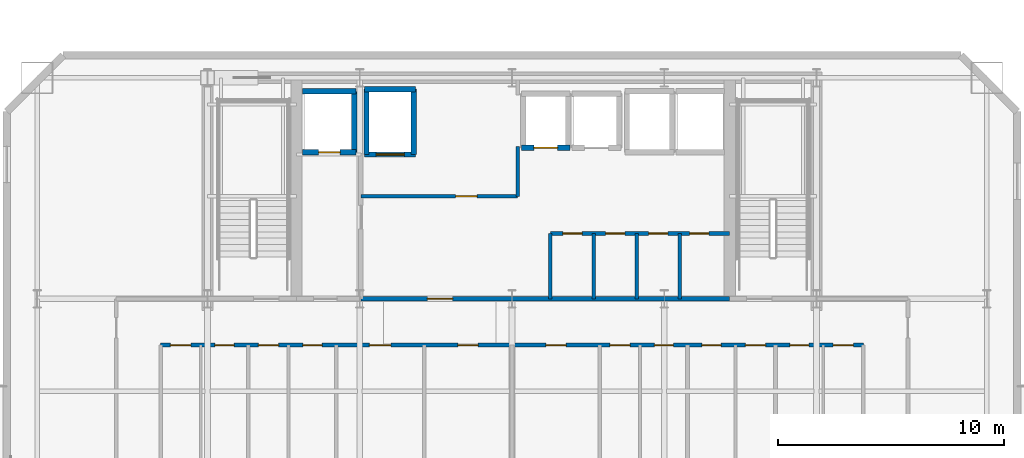
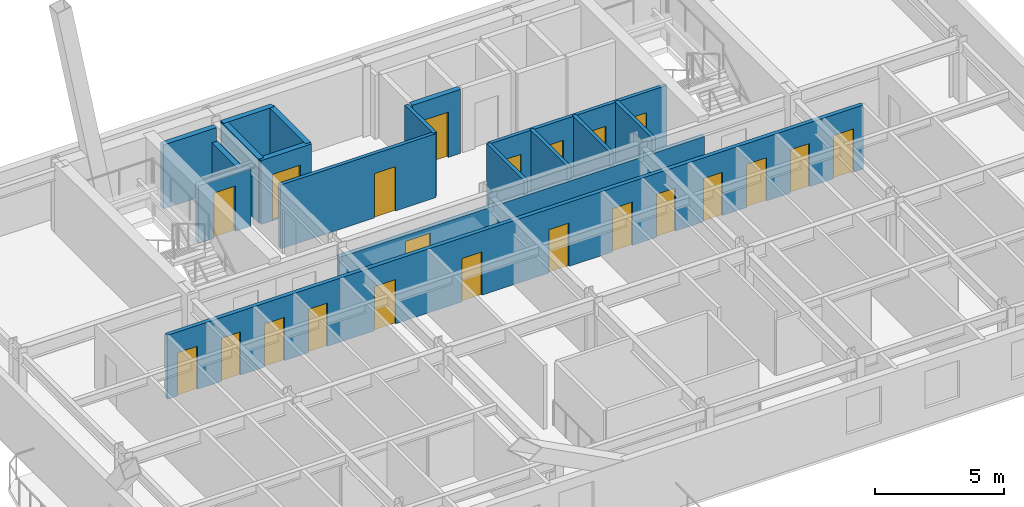
# One storey, part 6 of 14: 22 doors, 17 walls, 22 openings.
"""IFC4 building model written with IfcOpenShell, lengths in metres."""

from ifc_helpers import new_model, si_unit, direction, frame, frame_2d, origin, place, context, subcontext, project, spatial, rectangle, extrude, material, layer, layer_set, type_object, element, fill, save


model = new_model("IFC4")

# Units and contexts
model_context = context("Model", 3, precision=1e-05, world=origin(), true_north=direction((0.0, 1.0)))
body_context = subcontext(model_context, "Body", "Model", "MODEL_VIEW")
ifc_project = project(units=[si_unit("LENGTHUNIT", "METRE"), si_unit("AREAUNIT", "SQUARE_METRE"), si_unit("VOLUMEUNIT", "CUBIC_METRE"), si_unit("PLANEANGLEUNIT", "RADIAN"), si_unit("MASSUNIT", "GRAM", prefix="KILO")], contexts=[model_context])

# Site, building, storey
site_placement = place(None, origin())
site = spatial("IfcSite", under=ifc_project, at=site_placement, CompositionType="ELEMENT")
building_placement = place(site_placement, origin())
building = spatial("IfcBuilding", under=site, at=building_placement, Name="Haevon Station Towers", CompositionType="ELEMENT")
storey_placement = place(building_placement, frame((0.0, 0.0, 123.0)))
storey = spatial("IfcBuildingStorey", under=building, at=storey_placement, Name="L33", CompositionType="ELEMENT", Elevation=123.0)

# Wall, openings, doors
ifc_material_1 = material(Name="Gypsum board on steel stud", Category="steel")
ifc_layer_1 = layer(ifc_material_1, 0.179931640625)
ifc_layer_set_1 = layer_set([ifc_layer_1], Name="Gypsum board on steel stud")
wall_type_1 = type_object("IfcWallType", Name="WL-ACU180", PredefinedType="PARTITIONING", material=ifc_layer_set_1)
wall_1_placement = place(storey_placement, frame((21.919921875, 36.14990234375, 0.0), z_axis=(0.0, 0.0, 1.0), x_axis=(1.0, 0.0, 0.0)))
wall_1 = element("IfcWall", 1, at=wall_1_placement, inside=storey, type_object=wall_type_1, Name="WL-T1PT-L33-30", PredefinedType="PARTITIONING", context=body_context, shape_type="SweptSolid", body=[
    extrude(rectangle(XDim=31.16015625, YDim=0.179931640625, at=frame_2d((15.580078125, 0.0))), origin(), (0.0, 0.0, 1.0), 3.030029296875),
])
opening_1_placement = place(wall_1_placement, frame((2.412109375, 0.0, 0.0)))
opening_1 = element("IfcOpeningElement", 2, at=opening_1_placement, cuts=wall_1, Name="Opening DR-WL-T1PT-L33-30-01", PredefinedType="OPENING", context=body_context, shape_type="SweptSolid", body=[
    extrude(rectangle(XDim=0.85009765625, YDim=2.050048828125, at=frame_2d((0.425048828125, 1.02490234375))), frame((0.0, 0.099853515625, 0.0), z_axis=(0.0, -1.0, 0.0), x_axis=(1.0, 0.0, 0.0)), (0.0, 0.0, 1.0), 0.199951171875),
])
opening_2_placement = place(wall_1_placement, frame((0.43994140625, 0.0, 0.0)))
opening_2 = element("IfcOpeningElement", 3, at=opening_2_placement, cuts=wall_1, Name="Opening DR-WL-T1PT-L33-30-02", PredefinedType="OPENING", context=body_context, shape_type="SweptSolid", body=[
    extrude(rectangle(XDim=0.89990234375, YDim=2.050048828125, at=frame_2d((0.449951171875, 1.02490234375))), frame((0.0, 0.099853515625, 0.0), z_axis=(0.0, -1.0, 0.0), x_axis=(1.0, 0.0, 0.0)), (0.0, 0.0, 1.0), 0.199951171875),
])
opening_3_placement = place(wall_1_placement, frame((6.306884765625, 0.0, 0.0)))
opening_3 = element("IfcOpeningElement", 4, at=opening_3_placement, cuts=wall_1, Name="Opening DR-WL-T1PT-L33-30-03", PredefinedType="OPENING", context=body_context, shape_type="SweptSolid", body=[
    extrude(rectangle(XDim=0.85009765625, YDim=2.050048828125, at=frame_2d((0.425048828125, 1.02490234375))), frame((0.0, 0.099853515625, 0.0), z_axis=(0.0, -1.0, 0.0), x_axis=(1.0, 0.0, 0.0)), (0.0, 0.0, 1.0), 0.199951171875),
])
opening_4_placement = place(wall_1_placement, frame((4.3349609375, 0.0, 0.0)))
opening_4 = element("IfcOpeningElement", 5, at=opening_4_placement, cuts=wall_1, Name="Opening DR-WL-T1PT-L33-30-04", PredefinedType="OPENING", context=body_context, shape_type="SweptSolid", body=[
    extrude(rectangle(XDim=0.89990234375, YDim=2.050048828125, at=frame_2d((0.449951171875, 1.02490234375))), frame((0.0, 0.099853515625, 0.0), z_axis=(0.0, -1.0, 0.0), x_axis=(1.0, 0.0, 0.0)), (0.0, 0.0, 1.0), 0.199951171875),
])
opening_5_placement = place(wall_1_placement, frame((9.261962890625, 0.0, 0.0)))
opening_5 = element("IfcOpeningElement", 6, at=opening_5_placement, cuts=wall_1, Name="Opening DR-WL-T1PT-L33-30-05", PredefinedType="OPENING", context=body_context, shape_type="SweptSolid", body=[
    extrude(rectangle(XDim=0.949951171875, YDim=2.10009765625, at=frame_2d((0.47509765625, 1.050048828125))), frame((0.0, 0.099853515625, 0.0), z_axis=(0.0, -1.0, 0.0), x_axis=(1.0, 0.0, 0.0)), (0.0, 0.0, 1.0), 0.199951171875),
])
opening_6_placement = place(wall_1_placement, frame((13.181884765625, 0.0, 0.0)))
opening_6 = element("IfcOpeningElement", 7, at=opening_6_placement, cuts=wall_1, Name="Opening DR-WL-T1PT-L33-30-06", PredefinedType="OPENING", context=body_context, shape_type="SweptSolid", body=[
    extrude(rectangle(XDim=0.89990234375, YDim=2.050048828125, at=frame_2d((0.449951171875, 1.02490234375))), frame((0.0, 0.099853515625, 0.0), z_axis=(0.0, -1.0, 0.0), x_axis=(1.0, 0.0, 0.0)), (0.0, 0.0, 1.0), 0.199951171875),
])
opening_7_placement = place(wall_1_placement, frame((17.077880859375, 0.0, 0.0)))
opening_7 = element("IfcOpeningElement", 8, at=opening_7_placement, cuts=wall_1, Name="Opening DR-WL-T1PT-L33-30-07", PredefinedType="OPENING", context=body_context, shape_type="SweptSolid", body=[
    extrude(rectangle(XDim=0.89990234375, YDim=2.050048828125, at=frame_2d((0.449951171875, 1.02490234375))), frame((0.0, 0.099853515625, 0.0), z_axis=(0.0, -1.0, 0.0), x_axis=(1.0, 0.0, 0.0)), (0.0, 0.0, 1.0), 0.199951171875),
])
opening_8_placement = place(wall_1_placement, frame((21.886962890625, 0.0, 0.0)))
opening_8 = element("IfcOpeningElement", 9, at=opening_8_placement, cuts=wall_1, Name="Opening DR-WL-T1PT-L33-30-08", PredefinedType="OPENING", context=body_context, shape_type="SweptSolid", body=[
    extrude(rectangle(XDim=0.85009765625, YDim=2.050048828125, at=frame_2d((0.425048828125, 1.02490234375))), frame((0.0, 0.099853515625, 0.0), z_axis=(0.0, -1.0, 0.0), x_axis=(1.0, 0.0, 0.0)), (0.0, 0.0, 1.0), 0.199951171875),
])
opening_9_placement = place(wall_1_placement, frame((19.9150390625, 0.0, 0.0)))
opening_9 = element("IfcOpeningElement", 10, at=opening_9_placement, cuts=wall_1, Name="Opening DR-WL-T1PT-L33-30-09", PredefinedType="OPENING", context=body_context, shape_type="SweptSolid", body=[
    extrude(rectangle(XDim=0.89990234375, YDim=2.050048828125, at=frame_2d((0.449951171875, 1.02490234375))), frame((0.0, 0.099853515625, 0.0), z_axis=(0.0, -1.0, 0.0), x_axis=(1.0, 0.0, 0.0)), (0.0, 0.0, 1.0), 0.199951171875),
])
opening_10_placement = place(wall_1_placement, frame((24.001953125, 0.0, 0.0)))
opening_10 = element("IfcOpeningElement", 11, at=opening_10_placement, cuts=wall_1, Name="Opening DR-WL-T1PT-L33-30-10", PredefinedType="OPENING", context=body_context, shape_type="SweptSolid", body=[
    extrude(rectangle(XDim=0.85009765625, YDim=2.050048828125, at=frame_2d((0.425048828125, 1.02490234375))), frame((0.0, 0.099853515625, 0.0), z_axis=(0.0, -1.0, 0.0), x_axis=(1.0, 0.0, 0.0)), (0.0, 0.0, 1.0), 0.199951171875),
])
opening_11_placement = place(wall_1_placement, frame((25.925048828125, 0.0, 0.0)))
opening_11 = element("IfcOpeningElement", 12, at=opening_11_placement, cuts=wall_1, Name="Opening DR-WL-T1PT-L33-30-11", PredefinedType="OPENING", context=body_context, shape_type="SweptSolid", body=[
    extrude(rectangle(XDim=0.89990234375, YDim=2.050048828125, at=frame_2d((0.449951171875, 1.02490234375))), frame((0.0, 0.099853515625, 0.0), z_axis=(0.0, -1.0, 0.0), x_axis=(1.0, 0.0, 0.0)), (0.0, 0.0, 1.0), 0.199951171875),
])
opening_12_placement = place(wall_1_placement, frame((27.89697265625, 0.0, 0.0)))
opening_12 = element("IfcOpeningElement", 13, at=opening_12_placement, cuts=wall_1, Name="Opening DR-WL-T1PT-L33-30-12", PredefinedType="OPENING", context=body_context, shape_type="SweptSolid", body=[
    extrude(rectangle(XDim=0.85009765625, YDim=2.050048828125, at=frame_2d((0.425048828125, 1.02490234375))), frame((0.0, 0.099853515625, 0.0), z_axis=(0.0, -1.0, 0.0), x_axis=(1.0, 0.0, 0.0)), (0.0, 0.0, 1.0), 0.199951171875),
])
opening_13_placement = place(wall_1_placement, frame((29.820068359375, 0.0, 0.0)))
opening_13 = element("IfcOpeningElement", 14, at=opening_13_placement, cuts=wall_1, Name="Opening DR-WL-T1PT-L33-30-13", PredefinedType="OPENING", context=body_context, shape_type="SweptSolid", body=[
    extrude(rectangle(XDim=0.89990234375, YDim=2.050048828125, at=frame_2d((0.449951171875, 1.02490234375))), frame((0.0, 0.099853515625, 0.0), z_axis=(0.0, -1.0, 0.0), x_axis=(1.0, 0.0, 0.0)), (0.0, 0.0, 1.0), 0.199951171875),
])
ifc_material_2 = material(Name="Engineered oak timber", Category="wood")
door_type_1 = type_object("IfcDoorType", Name="DR-FD30-850", OperationType="NOTDEFINED", PredefinedType="DOOR", material=ifc_material_2)
door_1_placement = place(opening_1_placement, origin())
door_1 = element("IfcDoor", 15, at=door_1_placement, inside=storey, type_object=door_type_1, Name="L33 Tower 1 Room Door 30-1", OperationType="SINGLE_SWING_RIGHT", OverallHeight=2.050048828125, OverallWidth=0.85009765625, PredefinedType="DOOR", context=body_context, shape_type="SweptSolid", body=[
    extrude(rectangle(XDim=0.85009765625, YDim=2.050048828125, at=frame_2d((0.425048828125, 1.02490234375))), frame((0.0, 0.02490234375, 0.0), z_axis=(0.0, -1.0, 0.0), x_axis=(1.0, 0.0, 0.0)), (0.0, 0.0, 1.0), 0.050048828125),
])
fill(opening_1, door_1)
door_2_placement = place(opening_3_placement, origin())
door_2 = element("IfcDoor", 16, at=door_2_placement, inside=storey, type_object=door_type_1, Name="L33 Tower 1 Room Door 30-3", OperationType="SINGLE_SWING_RIGHT", OverallHeight=2.050048828125, OverallWidth=0.85009765625, PredefinedType="DOOR", context=body_context, shape_type="SweptSolid", body=[
    extrude(rectangle(XDim=0.85009765625, YDim=2.050048828125, at=frame_2d((0.425048828125, 1.02490234375))), frame((0.0, 0.02490234375, 0.0), z_axis=(0.0, -1.0, 0.0), x_axis=(1.0, 0.0, 0.0)), (0.0, 0.0, 1.0), 0.050048828125),
])
fill(opening_3, door_2)
door_3_placement = place(opening_8_placement, origin())
door_3 = element("IfcDoor", 17, at=door_3_placement, inside=storey, type_object=door_type_1, Name="L33 Tower 1 Room Door 30-8", OperationType="SINGLE_SWING_LEFT", OverallHeight=2.050048828125, OverallWidth=0.85009765625, PredefinedType="DOOR", context=body_context, shape_type="SweptSolid", body=[
    extrude(rectangle(XDim=0.85009765625, YDim=2.050048828125, at=frame_2d((0.425048828125, 1.02490234375))), frame((0.0, 0.02490234375, 0.0), z_axis=(0.0, -1.0, 0.0), x_axis=(1.0, 0.0, 0.0)), (0.0, 0.0, 1.0), 0.050048828125),
])
fill(opening_8, door_3)
door_4_placement = place(opening_10_placement, origin())
door_4 = element("IfcDoor", 18, at=door_4_placement, inside=storey, type_object=door_type_1, Name="L33 Tower 1 Room Door 30-10", OperationType="SINGLE_SWING_LEFT", OverallHeight=2.050048828125, OverallWidth=0.85009765625, PredefinedType="DOOR", context=body_context, shape_type="SweptSolid", body=[
    extrude(rectangle(XDim=0.85009765625, YDim=2.050048828125, at=frame_2d((0.425048828125, 1.02490234375))), frame((0.0, 0.02490234375, 0.0), z_axis=(0.0, -1.0, 0.0), x_axis=(1.0, 0.0, 0.0)), (0.0, 0.0, 1.0), 0.050048828125),
])
fill(opening_10, door_4)
door_5_placement = place(opening_12_placement, origin())
door_5 = element("IfcDoor", 19, at=door_5_placement, inside=storey, type_object=door_type_1, Name="L33 Tower 1 Room Door 30-12", OperationType="SINGLE_SWING_LEFT", OverallHeight=2.050048828125, OverallWidth=0.85009765625, PredefinedType="DOOR", context=body_context, shape_type="SweptSolid", body=[
    extrude(rectangle(XDim=0.85009765625, YDim=2.050048828125, at=frame_2d((0.425048828125, 1.02490234375))), frame((0.0, 0.02490234375, 0.0), z_axis=(0.0, -1.0, 0.0), x_axis=(1.0, 0.0, 0.0)), (0.0, 0.0, 1.0), 0.050048828125),
])
fill(opening_12, door_5)
door_type_2 = type_object("IfcDoorType", Name="DR-FD30-950", OperationType="NOTDEFINED", PredefinedType="DOOR", material=ifc_material_2)
door_6_placement = place(opening_5_placement, origin())
door_6 = element("IfcDoor", 20, at=door_6_placement, inside=storey, type_object=door_type_2, Name="L33 Tower 1 Room Door 30-5", OperationType="SINGLE_SWING_RIGHT", OverallHeight=2.10009765625, OverallWidth=0.949951171875, PredefinedType="DOOR", context=body_context, shape_type="SweptSolid", body=[
    extrude(rectangle(XDim=0.949951171875, YDim=2.10009765625, at=frame_2d((0.47509765625, 1.050048828125))), frame((0.0, 0.02490234375, 0.0), z_axis=(0.0, -1.0, 0.0), x_axis=(1.0, 0.0, 0.0)), (0.0, 0.0, 1.0), 0.050048828125),
])
fill(opening_5, door_6)
door_type_3 = type_object("IfcDoorType", Name="DR-INT-900", OperationType="NOTDEFINED", PredefinedType="DOOR", material=ifc_material_2)
door_7_placement = place(opening_2_placement, origin())
door_7 = element("IfcDoor", 21, at=door_7_placement, inside=storey, type_object=door_type_3, Name="L33 Tower 1 Room Door 30-2", OperationType="SINGLE_SWING_LEFT", OverallHeight=2.050048828125, OverallWidth=0.89990234375, PredefinedType="DOOR", context=body_context, shape_type="SweptSolid", body=[
    extrude(rectangle(XDim=0.89990234375, YDim=2.050048828125, at=frame_2d((0.449951171875, 1.02490234375))), frame((0.0, 0.02490234375, 0.0), z_axis=(0.0, -1.0, 0.0), x_axis=(1.0, 0.0, 0.0)), (0.0, 0.0, 1.0), 0.050048828125),
])
fill(opening_2, door_7)
door_8_placement = place(opening_4_placement, origin())
door_8 = element("IfcDoor", 22, at=door_8_placement, inside=storey, type_object=door_type_3, Name="L33 Tower 1 Room Door 30-4", OperationType="SINGLE_SWING_LEFT", OverallHeight=2.050048828125, OverallWidth=0.89990234375, PredefinedType="DOOR", context=body_context, shape_type="SweptSolid", body=[
    extrude(rectangle(XDim=0.89990234375, YDim=2.050048828125, at=frame_2d((0.449951171875, 1.02490234375))), frame((0.0, 0.02490234375, 0.0), z_axis=(0.0, -1.0, 0.0), x_axis=(1.0, 0.0, 0.0)), (0.0, 0.0, 1.0), 0.050048828125),
])
fill(opening_4, door_8)
door_9_placement = place(opening_6_placement, origin())
door_9 = element("IfcDoor", 23, at=door_9_placement, inside=storey, type_object=door_type_3, Name="L33 Tower 1 Room Door 30-6", OperationType="SINGLE_SWING_LEFT", OverallHeight=2.050048828125, OverallWidth=0.89990234375, PredefinedType="DOOR", context=body_context, shape_type="SweptSolid", body=[
    extrude(rectangle(XDim=0.89990234375, YDim=2.050048828125, at=frame_2d((0.449951171875, 1.02490234375))), frame((0.0, 0.02490234375, 0.0), z_axis=(0.0, -1.0, 0.0), x_axis=(1.0, 0.0, 0.0)), (0.0, 0.0, 1.0), 0.050048828125),
])
fill(opening_6, door_9)
door_10_placement = place(opening_7_placement, origin())
door_10 = element("IfcDoor", 24, at=door_10_placement, inside=storey, type_object=door_type_3, Name="L33 Tower 1 Room Door 30-7", OperationType="SINGLE_SWING_RIGHT", OverallHeight=2.050048828125, OverallWidth=0.89990234375, PredefinedType="DOOR", context=body_context, shape_type="SweptSolid", body=[
    extrude(rectangle(XDim=0.89990234375, YDim=2.050048828125, at=frame_2d((0.449951171875, 1.02490234375))), frame((0.0, 0.02490234375, 0.0), z_axis=(0.0, -1.0, 0.0), x_axis=(1.0, 0.0, 0.0)), (0.0, 0.0, 1.0), 0.050048828125),
])
fill(opening_7, door_10)
door_11_placement = place(opening_9_placement, origin())
door_11 = element("IfcDoor", 25, at=door_11_placement, inside=storey, type_object=door_type_3, Name="L33 Tower 1 Room Door 30-9", OperationType="SINGLE_SWING_RIGHT", OverallHeight=2.050048828125, OverallWidth=0.89990234375, PredefinedType="DOOR", context=body_context, shape_type="SweptSolid", body=[
    extrude(rectangle(XDim=0.89990234375, YDim=2.050048828125, at=frame_2d((0.449951171875, 1.02490234375))), frame((0.0, 0.02490234375, 0.0), z_axis=(0.0, -1.0, 0.0), x_axis=(1.0, 0.0, 0.0)), (0.0, 0.0, 1.0), 0.050048828125),
])
fill(opening_9, door_11)
door_12_placement = place(opening_11_placement, origin())
door_12 = element("IfcDoor", 26, at=door_12_placement, inside=storey, type_object=door_type_3, Name="L33 Tower 1 Room Door 30-11", OperationType="SINGLE_SWING_RIGHT", OverallHeight=2.050048828125, OverallWidth=0.89990234375, PredefinedType="DOOR", context=body_context, shape_type="SweptSolid", body=[
    extrude(rectangle(XDim=0.89990234375, YDim=2.050048828125, at=frame_2d((0.449951171875, 1.02490234375))), frame((0.0, 0.02490234375, 0.0), z_axis=(0.0, -1.0, 0.0), x_axis=(1.0, 0.0, 0.0)), (0.0, 0.0, 1.0), 0.050048828125),
])
fill(opening_11, door_12)
door_13_placement = place(opening_13_placement, origin())
door_13 = element("IfcDoor", 27, at=door_13_placement, inside=storey, type_object=door_type_3, Name="L33 Tower 1 Room Door 30-13", OperationType="SINGLE_SWING_RIGHT", OverallHeight=2.050048828125, OverallWidth=0.89990234375, PredefinedType="DOOR", context=body_context, shape_type="SweptSolid", body=[
    extrude(rectangle(XDim=0.89990234375, YDim=2.050048828125, at=frame_2d((0.449951171875, 1.02490234375))), frame((0.0, 0.02490234375, 0.0), z_axis=(0.0, -1.0, 0.0), x_axis=(1.0, 0.0, 0.0)), (0.0, 0.0, 1.0), 0.050048828125),
])
fill(opening_13, door_13)

# Wall, opening, door
ifc_layer_2 = layer(ifc_material_1, 0.199951171875)
ifc_layer_set_2 = layer_set([ifc_layer_2], Name="Gypsum board on steel stud")
wall_type_2 = type_object("IfcWallType", Name="WL-COR200", PredefinedType="PARTITIONING", material=ifc_layer_set_2)
wall_2_placement = place(storey_placement, frame((30.800048828125, 38.199951171875, 0.0), z_axis=(0.0, 0.0, 1.0), x_axis=(1.0, 0.0, 0.0)))
wall_2 = element("IfcWall", 28, at=wall_2_placement, inside=storey, type_object=wall_type_2, Name="WL-T1CLB-L33", PredefinedType="PARTITIONING", context=body_context, shape_type="SweptSolid", body=[
    extrude(rectangle(XDim=16.349853515625, YDim=0.199951171875, at=frame_2d((8.1748046875, 0.0))), origin(), (0.0, 0.0, 1.0), 2.3798828125),
])
opening_14_placement = place(wall_2_placement, frame((2.949951171875, 0.0, 0.0)))
opening_14 = element("IfcOpeningElement", 29, at=opening_14_placement, cuts=wall_2, Name="Opening DR-T1CLB-L33-1", PredefinedType="OPENING", context=body_context, shape_type="SweptSolid", body=[
    extrude(rectangle(XDim=1.1201171875, YDim=2.10009765625, at=frame_2d((0.56005859375, 1.050048828125))), frame((0.0, 0.10986328125, 0.0), z_axis=(0.0, -1.0, 0.0), x_axis=(1.0, 0.0, 0.0)), (0.0, 0.0, 1.0), 0.219970703125),
])
door_type_4 = type_object("IfcDoorType", Name="DR-ST-1120", OperationType="NOTDEFINED", PredefinedType="DOOR", material=ifc_material_2)
door_14_placement = place(opening_14_placement, origin())
door_14 = element("IfcDoor", 30, at=door_14_placement, inside=storey, type_object=door_type_4, Name="L33 Tower 1 Core Lift Lobby Door 1", OperationType="SINGLE_SWING_LEFT", OverallHeight=2.10009765625, OverallWidth=1.1201171875, PredefinedType="DOOR", context=body_context, shape_type="SweptSolid", body=[
    extrude(rectangle(XDim=1.1201171875, YDim=2.10009765625, at=frame_2d((0.56005859375, 1.050048828125))), frame((0.0, 0.02490234375, 0.0), z_axis=(0.0, -1.0, 0.0), x_axis=(1.0, 0.0, 0.0)), (0.0, 0.0, 1.0), 0.050048828125),
])
fill(opening_14, door_14)

ifc_layer_3 = layer(ifc_material_1, 0.159912109375)
ifc_layer_set_3 = layer_set([ifc_layer_3], Name="Gypsum board on steel stud")
wall_type_3 = type_object("IfcWallType", Name="WL-PRT160", PredefinedType="PARTITIONING", material=ifc_layer_set_3)
wall_3_placement = place(storey_placement, frame((30.800048828125, 42.75, 0.0), z_axis=(0.0, 0.0, 1.0), x_axis=(1.0, 0.0, 0.0)))
wall_3 = element("IfcWall", 31, at=wall_3_placement, inside=storey, type_object=wall_type_3, Name="WL-T1CW-L33-01", PredefinedType="PARTITIONING", context=body_context, shape_type="SweptSolid", body=[
    extrude(rectangle(XDim=6.949951171875, YDim=0.159912109375, at=frame_2d((3.47509765625, 0.0))), origin(), (0.0, 0.0, 1.0), 3.030029296875),
])
opening_15_placement = place(wall_3_placement, frame((4.199951171875, 0.0, 0.0)))
opening_15 = element("IfcOpeningElement", 32, at=opening_15_placement, cuts=wall_3, Name="Opening DR-WL-T1CW-L33-01-1", PredefinedType="OPENING", context=body_context, shape_type="SweptSolid", body=[
    extrude(rectangle(XDim=0.949951171875, YDim=2.10009765625, at=frame_2d((0.47509765625, 1.050048828125))), frame((0.0, 0.08984375, 0.0), z_axis=(0.0, -1.0, 0.0), x_axis=(1.0, 0.0, 0.0)), (0.0, 0.0, 1.0), 0.179931640625),
])
door_type_5 = type_object("IfcDoorType", Name="DR-FD60-950", OperationType="NOTDEFINED", PredefinedType="DOOR", material=ifc_material_2)
door_15_placement = place(opening_15_placement, origin())
door_15 = element("IfcDoor", 33, at=door_15_placement, inside=storey, type_object=door_type_5, Name="L33 Tower 1 Core Room Door 1-1", OperationType="SINGLE_SWING_LEFT", OverallHeight=2.10009765625, OverallWidth=0.949951171875, PredefinedType="DOOR", context=body_context, shape_type="SweptSolid", body=[
    extrude(rectangle(XDim=0.949951171875, YDim=2.10009765625, at=frame_2d((0.47509765625, 1.050048828125))), frame((0.0, 0.02490234375, 0.0), z_axis=(0.0, -1.0, 0.0), x_axis=(1.0, 0.0, 0.0)), (0.0, 0.0, 1.0), 0.050048828125),
])
fill(opening_15, door_15)

# Walls
wall_4_placement = place(storey_placement, frame((37.75, 42.75, 0.0), z_axis=(0.0, 0.0, 1.0), x_axis=(0.0, 1.0, 0.0)))
element("IfcWall", 34, at=wall_4_placement, inside=storey, type_object=wall_type_3, Name="WL-T1CW-L33-02", PredefinedType="PARTITIONING", context=body_context, shape_type="SweptSolid", body=[
    extrude(rectangle(XDim=2.199951171875, YDim=0.159912109375, at=frame_2d((1.10009765625, 0.0))), origin(), (0.0, 0.0, 1.0), 3.030029296875),
])
for number, where, z_axis, x_axis, name in (
    (35, (39.199951171875, 38.199951171875, 0.0), (0.0, 0.0, 1.0), (0.0, 1.0, 0.0), "WL-T1CW-L33-04"),
    (36, (41.1298828125, 38.199951171875, 0.0), (0.0, 0.0, 1.0), (0.0, 1.0, 0.0), "WL-T1CW-L33-05"),
    (37, (43.030029296875, 38.199951171875, 0.0), (0.0, 0.0, 1.0), (0.0, 1.0, 0.0), "WL-T1CW-L33-06"),
    (38, (44.929931640625, 38.199951171875, 0.0), (0.0, 0.0, 1.0), (0.0, 1.0, 0.0), "WL-T1CW-L33-07"),
):
    element("IfcWall", number, at=place(storey_placement, frame(where, z_axis=z_axis, x_axis=x_axis)), inside=storey, type_object=wall_type_3, Name=name, PredefinedType="PARTITIONING", context=body_context, shape_type="SweptSolid", body=[
        extrude(rectangle(XDim=2.900146484375, YDim=0.159912109375, at=frame_2d((1.4501953125, 0.0))), origin(), (0.0, 0.0, 1.0), 3.030029296875),
    ])

# Wall, openings, doors
wall_5_placement = place(storey_placement, frame((39.199951171875, 41.10009765625, 0.0), z_axis=(0.0, 0.0, 1.0), x_axis=(1.0, 0.0, 0.0)))
wall_5 = element("IfcWall", 39, at=wall_5_placement, inside=storey, type_object=wall_type_3, Name="WL-T1CW-L33-08", PredefinedType="PARTITIONING", context=body_context, shape_type="SweptSolid", body=[
    extrude(rectangle(XDim=7.949951171875, YDim=0.159912109375, at=frame_2d((3.97509765625, 0.0))), origin(), (0.0, 0.0, 1.0), 3.030029296875),
])
opening_16_placement = place(wall_5_placement, frame((0.56005859375, 0.0, 0.0)))
opening_16 = element("IfcOpeningElement", 40, at=opening_16_placement, cuts=wall_5, Name="Opening DR-WL-T1CW-L33-08-1", PredefinedType="OPENING", context=body_context, shape_type="SweptSolid", body=[
    extrude(rectangle(XDim=0.85009765625, YDim=2.050048828125, at=frame_2d((0.425048828125, 1.02490234375))), frame((0.0, 0.08984375, 0.0), z_axis=(0.0, -1.0, 0.0), x_axis=(1.0, 0.0, 0.0)), (0.0, 0.0, 1.0), 0.179931640625),
])
opening_17_placement = place(wall_5_placement, frame((2.455078125, 0.0, 0.0)))
opening_17 = element("IfcOpeningElement", 41, at=opening_17_placement, cuts=wall_5, Name="Opening DR-WL-T1CW-L33-08-2", PredefinedType="OPENING", context=body_context, shape_type="SweptSolid", body=[
    extrude(rectangle(XDim=0.85009765625, YDim=2.050048828125, at=frame_2d((0.425048828125, 1.02490234375))), frame((0.0, 0.08984375, 0.0), z_axis=(0.0, -1.0, 0.0), x_axis=(1.0, 0.0, 0.0)), (0.0, 0.0, 1.0), 0.179931640625),
])
opening_18_placement = place(wall_5_placement, frame((4.35498046875, 0.0, 0.0)))
opening_18 = element("IfcOpeningElement", 42, at=opening_18_placement, cuts=wall_5, Name="Opening DR-WL-T1CW-L33-08-3", PredefinedType="OPENING", context=body_context, shape_type="SweptSolid", body=[
    extrude(rectangle(XDim=0.85009765625, YDim=2.050048828125, at=frame_2d((0.425048828125, 1.02490234375))), frame((0.0, 0.08984375, 0.0), z_axis=(0.0, -1.0, 0.0), x_axis=(1.0, 0.0, 0.0)), (0.0, 0.0, 1.0), 0.179931640625),
])
opening_19_placement = place(wall_5_placement, frame((6.179931640625, 0.0, 0.0)))
opening_19 = element("IfcOpeningElement", 43, at=opening_19_placement, cuts=wall_5, Name="Opening DR-WL-T1CW-L33-08-4", PredefinedType="OPENING", context=body_context, shape_type="SweptSolid", body=[
    extrude(rectangle(XDim=0.85009765625, YDim=2.050048828125, at=frame_2d((0.425048828125, 1.02490234375))), frame((0.0, 0.08984375, 0.0), z_axis=(0.0, -1.0, 0.0), x_axis=(1.0, 0.0, 0.0)), (0.0, 0.0, 1.0), 0.179931640625),
])
door_16_placement = place(opening_16_placement, origin())
door_16 = element("IfcDoor", 44, at=door_16_placement, inside=storey, type_object=door_type_1, Name="L33 Tower 1 Core Room Door 8-1", OperationType="SINGLE_SWING_RIGHT", OverallHeight=2.050048828125, OverallWidth=0.85009765625, PredefinedType="DOOR", context=body_context, shape_type="SweptSolid", body=[
    extrude(rectangle(XDim=0.85009765625, YDim=2.050048828125, at=frame_2d((0.425048828125, 1.02490234375))), frame((0.0, 0.02490234375, 0.0), z_axis=(0.0, -1.0, 0.0), x_axis=(1.0, 0.0, 0.0)), (0.0, 0.0, 1.0), 0.050048828125),
])
fill(opening_16, door_16)
door_17_placement = place(opening_17_placement, origin())
door_17 = element("IfcDoor", 45, at=door_17_placement, inside=storey, type_object=door_type_1, Name="L33 Tower 1 Core Room Door 8-2", OperationType="SINGLE_SWING_LEFT", OverallHeight=2.050048828125, OverallWidth=0.85009765625, PredefinedType="DOOR", context=body_context, shape_type="SweptSolid", body=[
    extrude(rectangle(XDim=0.85009765625, YDim=2.050048828125, at=frame_2d((0.425048828125, 1.02490234375))), frame((0.0, 0.02490234375, 0.0), z_axis=(0.0, -1.0, 0.0), x_axis=(1.0, 0.0, 0.0)), (0.0, 0.0, 1.0), 0.050048828125),
])
fill(opening_17, door_17)
door_18_placement = place(opening_18_placement, origin())
door_18 = element("IfcDoor", 46, at=door_18_placement, inside=storey, type_object=door_type_1, Name="L33 Tower 1 Core Room Door 8-3", OperationType="SINGLE_SWING_RIGHT", OverallHeight=2.050048828125, OverallWidth=0.85009765625, PredefinedType="DOOR", context=body_context, shape_type="SweptSolid", body=[
    extrude(rectangle(XDim=0.85009765625, YDim=2.050048828125, at=frame_2d((0.425048828125, 1.02490234375))), frame((0.0, 0.02490234375, 0.0), z_axis=(0.0, -1.0, 0.0), x_axis=(1.0, 0.0, 0.0)), (0.0, 0.0, 1.0), 0.050048828125),
])
fill(opening_18, door_18)
door_19_placement = place(opening_19_placement, origin())
door_19 = element("IfcDoor", 47, at=door_19_placement, inside=storey, type_object=door_type_1, Name="L33 Tower 1 Core Room Door 8-4", OperationType="SINGLE_SWING_LEFT", OverallHeight=2.050048828125, OverallWidth=0.85009765625, PredefinedType="DOOR", context=body_context, shape_type="SweptSolid", body=[
    extrude(rectangle(XDim=0.85009765625, YDim=2.050048828125, at=frame_2d((0.425048828125, 1.02490234375))), frame((0.0, 0.02490234375, 0.0), z_axis=(0.0, -1.0, 0.0), x_axis=(1.0, 0.0, 0.0)), (0.0, 0.0, 1.0), 0.050048828125),
])
fill(opening_19, door_19)

# Wall, opening, door
ifc_material_3 = material(Name="Concrete C40/50", Category="concrete")
ifc_layer_4 = layer(ifc_material_3, 0.239990234375)
ifc_layer_set_4 = layer_set([ifc_layer_4], Name="Concrete C40/50")
wall_type_4 = type_object("IfcWallType", Name="WL-SHF240", PredefinedType="PARTITIONING", material=ifc_layer_set_4)
wall_6_placement = place(storey_placement, frame((28.219970703125, 44.699951171875, 0.0), z_axis=(0.0, 0.0, 1.0), x_axis=(1.0, 0.0, 0.0)))
wall_6 = element("IfcWall", 48, at=wall_6_placement, inside=storey, type_object=wall_type_4, Name="WL-SHF-FL1-L33", PredefinedType="PARTITIONING", context=body_context, shape_type="SweptSolid", body=[
    extrude(rectangle(XDim=2.360107421875, YDim=0.239990234375, at=frame_2d((1.18017578125, 0.0))), origin(), (0.0, 0.0, 1.0), 2.72998046875),
])
opening_20_placement = place(wall_6_placement, frame((0.705078125, 0.0, 0.0)))
opening_20 = element("IfcOpeningElement", 49, at=opening_20_placement, cuts=wall_6, Name="Opening LD-FL1-L33", PredefinedType="OPENING", context=body_context, shape_type="SweptSolid", body=[
    extrude(rectangle(XDim=0.949951171875, YDim=2.14990234375, at=frame_2d((0.47509765625, 1.074951171875))), frame((0.0, 0.1298828125, 0.0), z_axis=(0.0, -1.0, 0.0), x_axis=(1.0, 0.0, 0.0)), (0.0, 0.0, 1.0), 0.260009765625),
])
ifc_material_4 = material(Name="Stainless steel and rated core", Category="steel")
door_type_6 = type_object("IfcDoorType", Name="LD-FL950", OperationType="SLIDING_TO_LEFT", PredefinedType="DOOR", material=ifc_material_4)
door_20_placement = place(opening_20_placement, origin())
door_20 = element("IfcDoor", 50, at=door_20_placement, inside=storey, type_object=door_type_6, Name="L33 Lift FL1 Sliding Landing Door", OperationType="SLIDING_TO_LEFT", OverallHeight=2.14990234375, OverallWidth=0.949951171875, PredefinedType="DOOR", context=body_context, shape_type="SweptSolid", body=[
    extrude(rectangle(XDim=0.949951171875, YDim=2.14990234375, at=frame_2d((0.47509765625, 1.074951171875))), frame((0.0, 0.02490234375, 0.0), z_axis=(0.0, -1.0, 0.0), x_axis=(1.0, 0.0, 0.0)), (0.0, 0.0, 1.0), 0.050048828125),
])
fill(opening_20, door_20)

# Walls
wall_7_placement = place(storey_placement, frame((28.219970703125, 47.39990234375, 0.0), z_axis=(0.0, 0.0, 1.0), x_axis=(1.0, 0.0, 0.0)))
element("IfcWall", 51, at=wall_7_placement, inside=storey, type_object=wall_type_4, Name="WL-SHF-FL1-L33-N", PredefinedType="PARTITIONING", context=body_context, shape_type="SweptSolid", body=[
    extrude(rectangle(XDim=2.360107421875, YDim=0.239990234375, at=frame_2d((1.18017578125, 0.0))), origin(), (0.0, 0.0, 1.0), 3.030029296875),
])
wall_8_placement = place(storey_placement, frame((30.5, 44.699951171875, 0.0), z_axis=(0.0, 0.0, 1.0), x_axis=(0.0, 1.0, 0.0)))
element("IfcWall", 52, at=wall_8_placement, inside=storey, type_object=wall_type_4, Name="WL-SHF-FL1-L33-E", PredefinedType="PARTITIONING", context=body_context, shape_type="SweptSolid", body=[
    extrude(rectangle(XDim=2.699951171875, YDim=0.239990234375, at=frame_2d((1.35009765625, 0.0))), origin(), (0.0, 0.0, 1.0), 2.3798828125),
])

# Wall, opening, door
wall_9_placement = place(storey_placement, frame((30.969970703125, 44.60009765625, 0.0), z_axis=(0.0, 0.0, 1.0), x_axis=(1.0, 0.0, 0.0)))
wall_9 = element("IfcWall", 53, at=wall_9_placement, inside=storey, type_object=wall_type_4, Name="WL-SHF-SL1-L33", PredefinedType="PARTITIONING", context=body_context, shape_type="SweptSolid", body=[
    extrude(rectangle(XDim=2.260009765625, YDim=0.239990234375, at=frame_2d((1.1298828125, 0.0))), origin(), (0.0, 0.0, 1.0), 3.030029296875),
])
opening_21_placement = place(wall_9_placement, frame((0.5048828125, 0.0, 0.0)))
opening_21 = element("IfcOpeningElement", 54, at=opening_21_placement, cuts=wall_9, Name="Opening LD-SL1-L33", PredefinedType="OPENING", context=body_context, shape_type="SweptSolid", body=[
    extrude(rectangle(XDim=1.25, YDim=2.199951171875, at=frame_2d((0.625, 1.10009765625))), frame((0.0, 0.1298828125, 0.0), z_axis=(0.0, -1.0, 0.0), x_axis=(1.0, 0.0, 0.0)), (0.0, 0.0, 1.0), 0.260009765625),
])
door_type_7 = type_object("IfcDoorType", Name="LD-SL1250", OperationType="SLIDING_TO_LEFT", PredefinedType="DOOR", material=ifc_material_4)
door_21_placement = place(opening_21_placement, origin())
door_21 = element("IfcDoor", 55, at=door_21_placement, inside=storey, type_object=door_type_7, Name="L33 Lift SL1 Sliding Landing Door", OperationType="SLIDING_TO_LEFT", OverallHeight=2.199951171875, OverallWidth=1.25, PredefinedType="DOOR", context=body_context, shape_type="SweptSolid", body=[
    extrude(rectangle(XDim=1.25, YDim=2.199951171875, at=frame_2d((0.625, 1.10009765625))), frame((0.0, 0.02490234375, 0.0), z_axis=(0.0, -1.0, 0.0), x_axis=(1.0, 0.0, 0.0)), (0.0, 0.0, 1.0), 0.050048828125),
])
fill(opening_21, door_21)

# Walls
wall_10_placement = place(storey_placement, frame((30.969970703125, 47.5, 0.0), z_axis=(0.0, 0.0, 1.0), x_axis=(1.0, 0.0, 0.0)))
element("IfcWall", 56, at=wall_10_placement, inside=storey, type_object=wall_type_4, Name="WL-SHF-SL1-L33-N", PredefinedType="PARTITIONING", context=body_context, shape_type="SweptSolid", body=[
    extrude(rectangle(XDim=2.260009765625, YDim=0.239990234375, at=frame_2d((1.1298828125, 0.0))), origin(), (0.0, 0.0, 1.0), 3.030029296875),
])
for number, where, z_axis, x_axis, name in (
    (57, (31.050048828125, 44.60009765625, 0.0), (0.0, 0.0, 1.0), (0.0, 1.0, 0.0), "WL-SHF-SL1-L33-W"),
    (58, (33.14990234375, 44.60009765625, 0.0), (0.0, 0.0, 1.0), (0.0, 1.0, 0.0), "WL-SHF-SL1-L33-E"),
):
    element("IfcWall", number, at=place(storey_placement, frame(where, z_axis=z_axis, x_axis=x_axis)), inside=storey, type_object=wall_type_4, Name=name, PredefinedType="PARTITIONING", context=body_context, shape_type="SweptSolid", body=[
        extrude(rectangle(XDim=2.89990234375, YDim=0.239990234375, at=frame_2d((1.449951171875, 0.0))), origin(), (0.0, 0.0, 1.0), 3.030029296875),
    ])

# Wall, opening, door
wall_11_placement = place(storey_placement, frame((37.919921875, 44.89990234375, 0.0), z_axis=(0.0, 0.0, 1.0), x_axis=(1.0, 0.0, 0.0)))
wall_11 = element("IfcWall", 59, at=wall_11_placement, inside=storey, type_object=wall_type_4, Name="WL-SHF-PL3-L33", PredefinedType="PARTITIONING", context=body_context, shape_type="SweptSolid", body=[
    extrude(rectangle(XDim=2.16015625, YDim=0.239990234375, at=frame_2d((1.080078125, 0.0))), origin(), (0.0, 0.0, 1.0), 3.030029296875),
])
opening_22_placement = place(wall_11_placement, frame((0.554931640625, 0.0, 0.0)))
opening_22 = element("IfcOpeningElement", 60, at=opening_22_placement, cuts=wall_11, Name="Opening LD-PL3-L33", PredefinedType="OPENING", context=body_context, shape_type="SweptSolid", body=[
    extrude(rectangle(XDim=1.050048828125, YDim=2.14990234375, at=frame_2d((0.52490234375, 1.074951171875))), frame((0.0, 0.1298828125, 0.0), z_axis=(0.0, -1.0, 0.0), x_axis=(1.0, 0.0, 0.0)), (0.0, 0.0, 1.0), 0.260009765625),
])
door_type_8 = type_object("IfcDoorType", Name="LD-PL1050", OperationType="SLIDING_TO_LEFT", PredefinedType="DOOR", material=ifc_material_4)
door_22_placement = place(opening_22_placement, origin())
door_22 = element("IfcDoor", 61, at=door_22_placement, inside=storey, type_object=door_type_8, Name="L33 Lift PL3 Sliding Landing Door", OperationType="SLIDING_TO_LEFT", OverallHeight=2.14990234375, OverallWidth=1.050048828125, PredefinedType="DOOR", context=body_context, shape_type="SweptSolid", body=[
    extrude(rectangle(XDim=1.050048828125, YDim=2.14990234375, at=frame_2d((0.52490234375, 1.074951171875))), frame((0.0, 0.02490234375, 0.0), z_axis=(0.0, -1.0, 0.0), x_axis=(1.0, 0.0, 0.0)), (0.0, 0.0, 1.0), 0.050048828125),
])
fill(opening_22, door_22)

save(model, "model.ifc")
